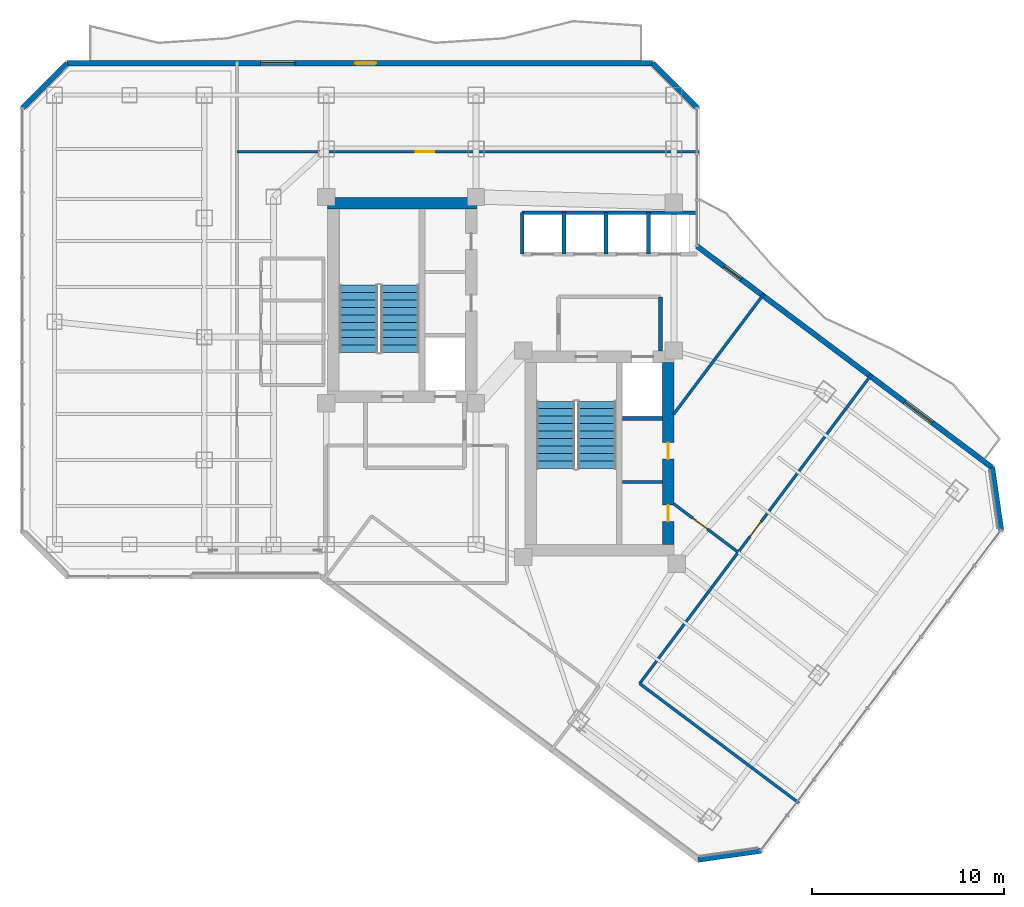
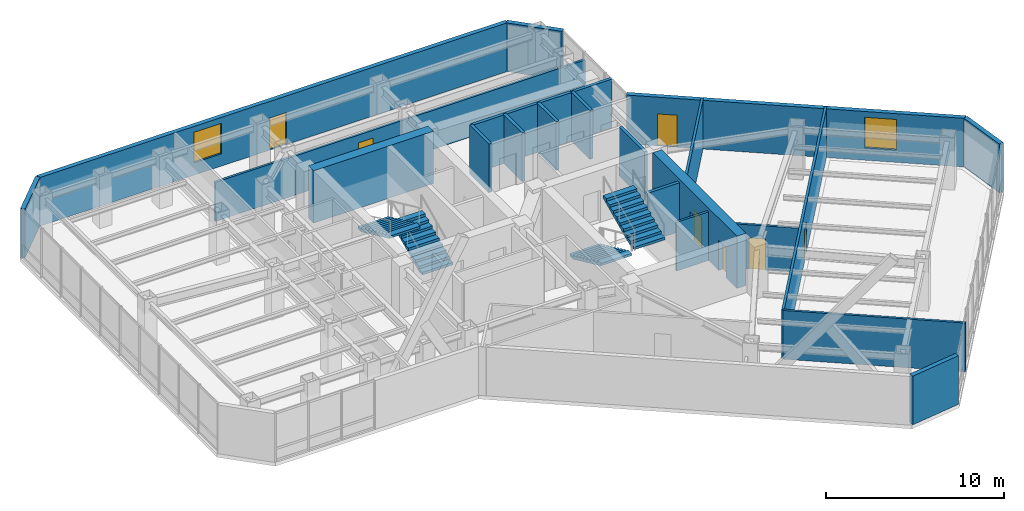
# One storey, part 23 of 26: 21 walls, 7 doors, 4 stair flights, 2 windows, 9 openings, 2 elements without a shape of their own.
"""IFC4 building model written with IfcOpenShell, lengths in metres."""

from ifc_helpers import new_model, si_unit, direction, frame, frame_2d, origin, place, context, subcontext, project, spatial, polyline, rectangle, outline, extrude, material, layer, layer_set, type_object, element, fill, aggregate, save


model = new_model("IFC4")

# Units and contexts
model_context = context("Model", 3, precision=1e-05, world=origin(), true_north=direction((0.0, 1.0)))
body_context = subcontext(model_context, "Body", "Model", "MODEL_VIEW")
ifc_project = project(units=[si_unit("LENGTHUNIT", "METRE"), si_unit("AREAUNIT", "SQUARE_METRE"), si_unit("VOLUMEUNIT", "CUBIC_METRE"), si_unit("PLANEANGLEUNIT", "RADIAN"), si_unit("MASSUNIT", "GRAM", prefix="KILO")], contexts=[model_context])

# Site, building, storey
site_placement = place(None, origin())
site = spatial("IfcSite", under=ifc_project, at=site_placement, CompositionType="ELEMENT")
building_placement = place(site_placement, origin())
building = spatial("IfcBuilding", under=site, at=building_placement, Name="Hatsunagi Terrace Concourse", CompositionType="ELEMENT")
storey_placement = place(building_placement, frame((0.0, 0.0, 134.85009765625)))
storey = spatial("IfcBuildingStorey", under=building, at=storey_placement, Name="L35", CompositionType="ELEMENT", Elevation=134.85009765625)

# Wall
ifc_material_1 = material(Name="Concrete Fc48", Category="concrete")
ifc_layer_1 = layer(ifc_material_1, 0.60009765625)
ifc_layer_set_1 = layer_set([ifc_layer_1], Name="CoreShearWall_Fc48_600")
wall_type_1 = type_object("IfcWallType", Name="CoreShearWall_Fc48_600", PredefinedType="SHEAR", material=ifc_layer_set_1)
wall_1_placement = place(storey_placement, frame((25.6201171875, 42.969970703125, 0.0), z_axis=(0.0, 0.0, 1.0), x_axis=(1.0, 0.0, 0.0)))
element("IfcWall", 1, at=wall_1_placement, inside=storey, type_object=wall_type_1, Name="Core A Shear Wall N L35", PredefinedType="SHEAR", context=body_context, shape_type="SweptSolid", body=[
    extrude(rectangle(XDim=7.77978515625, YDim=0.60009765625, at=frame_2d((3.889892578125, 0.0))), origin(), (0.0, 0.0, 1.0), 3.599853515625),
])

# Wall, openings, doors
wall_2_placement = place(storey_placement, frame((43.35009765625, 25.18994140625, 0.0), z_axis=(0.0, 0.0, 1.0), x_axis=(0.0, 1.0, 0.0)))
wall_2 = element("IfcWall", 2, at=wall_2_placement, inside=storey, type_object=wall_type_1, Name="Core B Shear Wall E L35", PredefinedType="SHEAR", context=body_context, shape_type="SweptSolid", body=[
    extrude(rectangle(XDim=9.47998046875, YDim=0.60009765625, at=frame_2d((4.739990234375, 0.0))), origin(), (0.0, 0.0, 1.0), 3.599853515625),
])
opening_1_placement = place(wall_2_placement, frame((1.2099609375, 0.0, 0.0)))
opening_1 = element("IfcOpeningElement", 3, at=opening_1_placement, cuts=wall_2, Name="Opening DR-085", PredefinedType="OPENING", context=body_context, shape_type="SweptSolid", body=[
    extrude(rectangle(XDim=0.85009765625, YDim=2.080078125, at=frame_2d((0.425048828125, 1.0400390625))), frame((0.0, 0.31005859375, 0.0), z_axis=(0.0, -1.0, 0.0), x_axis=(1.0, 0.0, 0.0)), (0.0, 0.0, 1.0), 0.6201171875),
])
opening_2_placement = place(wall_2_placement, frame((4.4599609375, 0.0, 0.0)))
opening_2 = element("IfcOpeningElement", 4, at=opening_2_placement, cuts=wall_2, Name="Opening DR-085", PredefinedType="OPENING", context=body_context, shape_type="SweptSolid", body=[
    extrude(rectangle(XDim=0.85009765625, YDim=2.080078125, at=frame_2d((0.425048828125, 1.0400390625))), frame((0.0, 0.31005859375, 0.0), z_axis=(0.0, -1.0, 0.0), x_axis=(1.0, 0.0, 0.0)), (0.0, 0.0, 1.0), 0.6201171875),
])
ifc_material_2 = material(Name="Painted steel", Category="steel")
door_type_1 = type_object("IfcDoorType", Name="RiserAccessDoor_EI60_850", OperationType="NOTDEFINED", PredefinedType="DOOR", material=ifc_material_2)
door_1_placement = place(opening_1_placement, origin())
door_1 = element("IfcDoor", 5, at=door_1_placement, inside=storey, type_object=door_type_1, Name="Core B Riser Door L35-1", OperationType="SINGLE_SWING_RIGHT", OverallHeight=2.080078125, OverallWidth=0.85009765625, PredefinedType="DOOR", context=body_context, shape_type="SweptSolid", body=[
    extrude(rectangle(XDim=0.85009765625, YDim=2.080078125, at=frame_2d((0.425048828125, 1.0400390625))), frame((0.0, 0.02490234375, 0.0), z_axis=(0.0, -1.0, 0.0), x_axis=(1.0, 0.0, 0.0)), (0.0, 0.0, 1.0), 0.050048828125),
])
fill(opening_1, door_1)
door_2_placement = place(opening_2_placement, origin())
door_2 = element("IfcDoor", 6, at=door_2_placement, inside=storey, type_object=door_type_1, Name="Core B Riser Door L35-2", OperationType="SINGLE_SWING_RIGHT", OverallHeight=2.080078125, OverallWidth=0.85009765625, PredefinedType="DOOR", context=body_context, shape_type="SweptSolid", body=[
    extrude(rectangle(XDim=0.85009765625, YDim=2.080078125, at=frame_2d((0.425048828125, 1.0400390625))), frame((0.0, 0.02490234375, 0.0), z_axis=(0.0, -1.0, 0.0), x_axis=(1.0, 0.0, 0.0)), (0.0, 0.0, 1.0), 0.050048828125),
])
fill(opening_2, door_2)

# Wall
ifc_material_3 = material(Name="Acoustic mineral board", Category="gypsum")
ifc_layer_2 = layer(ifc_material_3, 0.14990234375)
ifc_layer_set_2 = layer_set([ifc_layer_2], Name="PartitionWall_EI60_150")
wall_type_2 = type_object("IfcWallType", Name="PartitionWall_EI60_150", PredefinedType="PARTITIONING", material=ifc_layer_set_2)
wall_3_placement = place(storey_placement, frame((40.969970703125, 28.449951171875, 0.0), z_axis=(0.0, 0.0, 1.0), x_axis=(1.0, 0.0, 0.0)))
element("IfcWall", 7, at=wall_3_placement, inside=storey, type_object=wall_type_2, Name="Interior Partition IW-L35-004", PredefinedType="PARTITIONING", context=body_context, shape_type="SweptSolid", body=[
    extrude(rectangle(XDim=2.080078125, YDim=0.14990234375, at=frame_2d((1.0400390625, 0.0))), origin(), (0.0, 0.0, 1.0), 3.349853515625),
])

# Wall, opening, door
wall_4_placement = place(storey_placement, frame((20.89990234375, 45.64990234375, 0.0), z_axis=(0.0, 0.0, 1.0), x_axis=(1.0, 0.0, 0.0)))
wall_4 = element("IfcWall", 8, at=wall_4_placement, inside=storey, type_object=wall_type_2, Name="Interior Partition IW-L35-030", PredefinedType="PARTITIONING", context=body_context, shape_type="SweptSolid", body=[
    extrude(rectangle(XDim=24.06005859375, YDim=0.14990234375, at=frame_2d((12.030029296875, 0.0))), origin(), (0.0, 0.0, 1.0), 2.69482421875),
])
opening_3_placement = place(wall_4_placement, frame((9.320068359375, 0.0, 0.0)))
opening_3 = element("IfcOpeningElement", 9, at=opening_3_placement, cuts=wall_4, Name="Opening DR-095", PredefinedType="OPENING", context=body_context, shape_type="SweptSolid", body=[
    extrude(rectangle(XDim=0.949951171875, YDim=2.14990234375, at=frame_2d((0.47509765625, 1.074951171875))), frame((0.0, 0.0849609375, 0.0), z_axis=(0.0, -1.0, 0.0), x_axis=(1.0, 0.0, 0.0)), (0.0, 0.0, 1.0), 0.169921875),
])
ifc_material_4 = material(Name="Hardwood timber", Category="wood")
door_type_2 = type_object("IfcDoorType", Name="InteriorSuiteDoor_EI30_950", OperationType="NOTDEFINED", PredefinedType="DOOR", material=ifc_material_4)
door_3_placement = place(opening_3_placement, origin())
door_3 = element("IfcDoor", 10, at=door_3_placement, inside=storey, type_object=door_type_2, Name="Collaboration Lounge L35-ON1 Door", OperationType="SINGLE_SWING_RIGHT", OverallHeight=2.14990234375, OverallWidth=0.949951171875, PredefinedType="DOOR", context=body_context, shape_type="SweptSolid", body=[
    extrude(rectangle(XDim=0.949951171875, YDim=2.14990234375, at=frame_2d((0.47509765625, 1.074951171875))), frame((0.0, 0.02490234375, 0.0), z_axis=(0.0, -1.0, 0.0), x_axis=(1.0, 0.0, 0.0)), (0.0, 0.0, 1.0), 0.050048828125),
])
fill(opening_3, door_3)

# Wall
wall_5_placement = place(storey_placement, frame((41.8701171875, 17.9599609375, 0.0), z_axis=(0.0, 0.0, 1.0), x_axis=(0.799991516197, -0.600011311571, 0.0)))
element("IfcWall", 11, at=wall_5_placement, inside=storey, type_object=wall_type_2, Name="Interior Partition IW-L35-031", PredefinedType="PARTITIONING", context=body_context, shape_type="SweptSolid", body=[
    extrude(rectangle(XDim=10.35986328125, YDim=0.14990234375, at=frame_2d((5.179931640625, 0.0))), origin(), (0.0, 0.0, 1.0), 3.349853515625),
])

# Wall, opening, door
wall_6_placement = place(storey_placement, frame((41.8701171875, 17.9599609375, 0.0), z_axis=(0.0, 0.0, 1.0), x_axis=(0.599994172676, 0.80000437046, 0.0)))
wall_6 = element("IfcWall", 12, at=wall_6_placement, inside=storey, type_object=wall_type_2, Name="Interior Partition IW-L35-032", PredefinedType="PARTITIONING", context=body_context, shape_type="SweptSolid", body=[
    extrude(rectangle(XDim=20.110107421875, YDim=0.14990234375, at=frame_2d((10.05517578125, 0.0))), origin(), (0.0, 0.0, 1.0), 3.349853515625),
])
opening_4_placement = place(wall_6_placement, frame((9.580078125, 0.0, 0.0)))
opening_4 = element("IfcOpeningElement", 13, at=opening_4_placement, cuts=wall_6, Name="Opening DR-095", PredefinedType="OPENING", context=body_context, shape_type="SweptSolid", body=[
    extrude(rectangle(XDim=0.949951171875, YDim=2.14990234375, at=frame_2d((0.47509765625, 1.074951171875))), frame((0.0, 0.0849609375, 0.0), z_axis=(0.0, -1.0, 0.0), x_axis=(1.0, 0.0, 0.0)), (0.0, 0.0, 1.0), 0.169921875),
])
door_4_placement = place(opening_4_placement, origin())
door_4 = element("IfcDoor", 14, at=door_4_placement, inside=storey, type_object=door_type_2, Name="Design Studio L35-OSE1 Door", OperationType="SINGLE_SWING_RIGHT", OverallHeight=2.14990234375, OverallWidth=0.949951171875, PredefinedType="DOOR", context=body_context, shape_type="SweptSolid", body=[
    extrude(rectangle(XDim=0.949951171875, YDim=2.14990234375, at=frame_2d((0.47509765625, 1.074951171875))), frame((0.0, 0.02490234375, 0.0), z_axis=(0.0, -1.0, 0.0), x_axis=(1.0, 0.0, 0.0)), (0.0, 0.0, 1.0), 0.050048828125),
])
fill(opening_4, door_4)

wall_7_placement = place(storey_placement, frame((43.6298828125, 27.327880859375, 0.0), z_axis=(0.0, 0.0, 1.0), x_axis=(0.799972182084, -0.600037088764, 0.0)))
wall_7 = element("IfcWall", 15, at=wall_7_placement, inside=storey, type_object=wall_type_2, Name="Interior Partition IW-L35-033", PredefinedType="PARTITIONING", context=body_context, shape_type="SweptSolid", body=[
    extrude(rectangle(XDim=4.212890625, YDim=0.14990234375, at=frame_2d((2.1064453125, 0.0))), origin(), (0.0, 0.0, 1.0), 3.044921875),
])
opening_5_placement = place(wall_7_placement, frame((1.256103515625, 0.0, 0.0)))
opening_5 = element("IfcOpeningElement", 16, at=opening_5_placement, cuts=wall_7, Name="Opening DR-095", PredefinedType="OPENING", context=body_context, shape_type="SweptSolid", body=[
    extrude(rectangle(XDim=0.949951171875, YDim=2.14990234375, at=frame_2d((0.47509765625, 1.074951171875))), frame((0.0, 0.0849609375, 0.0), z_axis=(0.0, -1.0, 0.0), x_axis=(1.0, 0.0, 0.0)), (0.0, 0.0, 1.0), 0.169921875),
])
door_5_placement = place(opening_5_placement, origin())
door_5 = element("IfcDoor", 17, at=door_5_placement, inside=storey, type_object=door_type_2, Name="Collaboration Lounge L35-OSEN0 Door", OperationType="SINGLE_SWING_LEFT", OverallHeight=2.14990234375, OverallWidth=0.949951171875, PredefinedType="DOOR", context=body_context, shape_type="SweptSolid", body=[
    extrude(rectangle(XDim=0.949951171875, YDim=2.14990234375, at=frame_2d((0.47509765625, 1.074951171875))), frame((0.0, 0.02490234375, 0.0), z_axis=(0.0, -1.0, 0.0), x_axis=(1.0, 0.0, 0.0)), (0.0, 0.0, 1.0), 0.050048828125),
])
fill(opening_5, door_5)

# Walls
wall_8_placement = place(storey_placement, frame((43.6298828125, 31.972900390625, 0.0), z_axis=(0.0, 0.0, 1.0), x_axis=(0.599975099311, 0.800018674911, 0.0)))
element("IfcWall", 18, at=wall_8_placement, inside=storey, type_object=wall_type_2, Name="Interior Partition IW-L35-034", PredefinedType="PARTITIONING", context=body_context, shape_type="SweptSolid", body=[
    extrude(rectangle(XDim=7.84375, YDim=0.14990234375, at=frame_2d((3.921875, 0.0))), origin(), (0.0, 0.0, 1.0), 3.349853515625),
])
ifc_material_5 = material(Name="Acoustic mineral board", Category="gypsum")
ifc_layer_3 = layer(ifc_material_5, 0.199951171875)
ifc_layer_set_3 = layer_set([ifc_layer_3], Name="ShaftWall_EI120_200")
wall_type_3 = type_object("IfcWallType", Name="ShaftWall_EI120_200", PredefinedType="STANDARD", material=ifc_layer_set_3)
wall_9_placement = place(storey_placement, frame((40.969970703125, 31.760009765625, 0.0), z_axis=(0.0, 0.0, 1.0), x_axis=(1.0, 0.0, 0.0)))
element("IfcWall", 19, at=wall_9_placement, inside=storey, type_object=wall_type_3, Name="Interior Partition IW-L35-003", PredefinedType="STANDARD", context=body_context, shape_type="SweptSolid", body=[
    extrude(rectangle(XDim=2.080078125, YDim=0.199951171875, at=frame_2d((1.0400390625, 0.0))), origin(), (0.0, 0.0, 1.0), 3.349853515625),
])
wall_10_placement = place(storey_placement, frame((42.949951171875, 35.27001953125, 0.0), z_axis=(0.0, 0.0, 1.0), x_axis=(0.0, 1.0, 0.0)))
element("IfcWall", 20, at=wall_10_placement, inside=storey, type_object=wall_type_3, Name="Interior Partition IW-L35-009", PredefinedType="STANDARD", context=body_context, shape_type="SweptSolid", body=[
    extrude(rectangle(XDim=2.830078125, YDim=0.199951171875, at=frame_2d((1.4150390625, 0.0))), origin(), (0.0, 0.0, 1.0), 3.349853515625),
])
wall_11_placement = place(storey_placement, frame((35.75, 42.47998046875, 0.0), z_axis=(0.0, 0.0, 1.0), x_axis=(1.0, 0.0, 0.0)))
element("IfcWall", 21, at=wall_11_placement, inside=storey, type_object=wall_type_3, Name="Interior Partition IW-L35-011", PredefinedType="STANDARD", context=body_context, shape_type="SweptSolid", body=[
    extrude(rectangle(XDim=9.110107421875, YDim=0.199951171875, at=frame_2d((4.55517578125, 0.0))), origin(), (0.0, 0.0, 1.0), 3.349853515625),
])
for number, where, z_axis, x_axis, name in (
    (22, (35.75, 40.320068359375, 0.0), (0.0, 0.0, 1.0), (0.0, 1.0, 0.0), "Interior Partition IW-L35-012"),
    (23, (37.919921875, 40.320068359375, 0.0), (0.0, 0.0, 1.0), (0.0, 1.0, 0.0), "Interior Partition IW-L35-013"),
    (24, (40.1201171875, 40.320068359375, 0.0), (0.0, 0.0, 1.0), (0.0, 1.0, 0.0), "Interior Partition IW-L35-014"),
    (25, (42.320068359375, 40.320068359375, 0.0), (0.0, 0.0, 1.0), (0.0, 1.0, 0.0), "Interior Partition IW-L35-015"),
):
    element("IfcWall", number, at=place(storey_placement, frame(where, z_axis=z_axis, x_axis=x_axis)), inside=storey, type_object=wall_type_3, Name=name, PredefinedType="STANDARD", context=body_context, shape_type="SweptSolid", body=[
        extrude(rectangle(XDim=2.159912109375, YDim=0.199951171875, at=frame_2d((1.080078125, 0.0))), origin(), (0.0, 0.0, 1.0), 3.349853515625),
    ])

# Wall, openings, door, window
ifc_material_6 = material(Name="Autoclaved Lightweight Concrete and Terracotta Cladding", Category="masonry")
ifc_layer_4 = layer(ifc_material_6, 0.280029296875)
ifc_layer_set_4 = layer_set([ifc_layer_4], Name="TerracottaSpandrelWall_280")
wall_type_4 = type_object("IfcWallType", Name="TerracottaSpandrelWall_280", PredefinedType="STANDARD", material=ifc_layer_set_4)
wall_12_placement = place(storey_placement, frame((44.860107421875, 40.72998046875, 0.0), z_axis=(0.0, 0.0, 1.0), x_axis=(0.800007624502, -0.599989833863, 0.0)))
wall_12 = element("IfcWall", 26, at=wall_12_placement, inside=storey, type_object=wall_type_4, Name="Exterior Spandrel Wall EW-L35-01", PredefinedType="STANDARD", context=body_context, shape_type="SweptSolid", body=[
    extrude(rectangle(XDim=19.212158203125, YDim=0.280029296875, at=frame_2d((9.60595703125, 0.0))), origin(), (0.0, 0.0, 1.0), 3.349853515625),
])
opening_6_placement = place(wall_12_placement, frame((1.7548828125, 0.0, 0.0)))
opening_6 = element("IfcOpeningElement", 27, at=opening_6_placement, cuts=wall_12, Name="Opening BD-01", PredefinedType="OPENING", context=body_context, shape_type="SweptSolid", body=[
    extrude(rectangle(XDim=1.10009765625, YDim=2.199951171875, at=frame_2d((0.550048828125, 1.10009765625))), frame((0.0, 0.14990234375, 0.0), z_axis=(0.0, -1.0, 0.0), x_axis=(1.0, 0.0, 0.0)), (0.0, 0.0, 1.0), 0.300048828125),
])
opening_7_placement = place(wall_12_placement, frame((13.509033203125, 0.0, 0.85009765625)))
opening_7 = element("IfcOpeningElement", 28, at=opening_7_placement, cuts=wall_12, Name="Opening WIN-03", PredefinedType="OPENING", context=body_context, shape_type="SweptSolid", body=[
    extrude(rectangle(XDim=1.800048828125, YDim=2.10009765625, at=frame_2d((0.89990234375, 1.050048828125))), frame((0.0, 0.14990234375, 0.0), z_axis=(0.0, -1.0, 0.0), x_axis=(1.0, 0.0, 0.0)), (0.0, 0.0, 1.0), 0.300048828125),
])
ifc_material_7 = material(Name="Galvanised Steel and Laminated Safety Glass", Category="steel")
door_type_3 = type_object("IfcDoorType", Name="BalconyTerraceAccessDoor_1100x2200", OperationType="SINGLE_SWING_LEFT", PredefinedType="DOOR", material=ifc_material_7)
door_6_placement = place(opening_6_placement, origin())
door_6 = element("IfcDoor", 29, at=door_6_placement, inside=storey, type_object=door_type_3, Name="Engawa Balcony Door L35-BSE", OperationType="SINGLE_SWING_LEFT", OverallHeight=2.199951171875, OverallWidth=1.10009765625, PredefinedType="DOOR", context=body_context, shape_type="SweptSolid", body=[
    extrude(rectangle(XDim=1.10009765625, YDim=2.199951171875, at=frame_2d((0.550048828125, 1.10009765625))), frame((0.0, 0.02490234375, 0.0), z_axis=(0.0, -1.0, 0.0), x_axis=(1.0, 0.0, 0.0)), (0.0, 0.0, 1.0), 0.050048828125),
])
fill(opening_6, door_6)
ifc_material_8 = material(Name="Thermally Broken Aluminium and Low-E Triple Glazing", Category="aluminium")
window_type = type_object("IfcWindowType", Name="OfficeCornerFeatureWindow_1800x2100", PartitioningType="SINGLE_PANEL", PredefinedType="WINDOW", material=ifc_material_8)
window_1_placement = place(opening_7_placement, origin())
window_1 = element("IfcWindow", 30, at=window_1_placement, inside=storey, type_object=window_type, Name="Balcony Daylighting Window L35-01-2", OverallHeight=2.10009765625, OverallWidth=1.800048828125, PartitioningType="SINGLE_PANEL", PredefinedType="WINDOW", context=body_context, shape_type="SweptSolid", body=[
    extrude(rectangle(XDim=1.800048828125, YDim=2.10009765625, at=frame_2d((0.89990234375, 1.050048828125))), frame((0.0, 0.030029296875, 0.0), z_axis=(0.0, -1.0, 0.0), x_axis=(1.0, 0.0, 0.0)), (0.0, 0.0, 1.0), 0.06005859375),
])
fill(opening_7, window_1)

# Walls
wall_13_placement = place(storey_placement, frame((60.22998046875, 29.202880859375, 0.0), z_axis=(0.0, 0.0, 1.0), x_axis=(0.141296221922, -0.989967361922, 0.0)))
element("IfcWall", 31, at=wall_13_placement, inside=storey, type_object=wall_type_4, Name="Exterior Spandrel Wall EW-L35-02", PredefinedType="STANDARD", context=body_context, shape_type="SweptSolid", body=[
    extrude(rectangle(XDim=3.27783203125, YDim=0.280029296875, at=frame_2d((1.638916015625, 0.0))), origin(), (0.0, 0.0, 1.0), 3.349853515625),
])
wall_14_placement = place(storey_placement, frame((48.1630859375, 9.25, 0.0), z_axis=(0.0, 0.0, 1.0), x_axis=(-0.989979263428, -0.141212810973, 0.0)))
element("IfcWall", 32, at=wall_14_placement, inside=storey, type_object=wall_type_4, Name="Exterior Spandrel Wall EW-L35-04", PredefinedType="STANDARD", context=body_context, shape_type="SweptSolid", body=[
    extrude(rectangle(XDim=3.278076171875, YDim=0.280029296875, at=frame_2d((1.63916015625, 0.0))), origin(), (0.0, 0.0, 1.0), 3.349853515625),
])
wall_15_placement = place(storey_placement, frame((9.739990234375, 47.94189453125, 0.0), z_axis=(0.0, 0.0, 1.0), x_axis=(0.707106781187, 0.707106781187, 0.0)))
element("IfcWall", 33, at=wall_15_placement, inside=storey, type_object=wall_type_4, Name="Exterior Spandrel Wall EW-L35-10", PredefinedType="STANDARD", context=body_context, shape_type="SweptSolid", body=[
    extrude(rectangle(XDim=3.2783203125, YDim=0.280029296875, at=frame_2d((1.63916015625, 0.0))), origin(), (0.0, 0.0, 1.0), 3.349853515625),
])

# Wall, openings, door, window
wall_16_placement = place(storey_placement, frame((12.05810546875, 50.260009765625, 0.0), z_axis=(0.0, 0.0, 1.0), x_axis=(1.0, 0.0, 0.0)))
wall_16 = element("IfcWall", 34, at=wall_16_placement, inside=storey, type_object=wall_type_4, Name="Exterior Spandrel Wall EW-L35-11", PredefinedType="STANDARD", context=body_context, shape_type="SweptSolid", body=[
    extrude(rectangle(XDim=30.48388671875, YDim=0.280029296875, at=frame_2d((15.241943359375, 0.0))), origin(), (0.0, 0.0, 1.0), 3.349853515625),
])
opening_8_placement = place(wall_16_placement, frame((14.991943359375, 0.0, 0.0)))
opening_8 = element("IfcOpeningElement", 35, at=opening_8_placement, cuts=wall_16, Name="Opening BD-01", PredefinedType="OPENING", context=body_context, shape_type="SweptSolid", body=[
    extrude(rectangle(XDim=1.10009765625, YDim=2.199951171875, at=frame_2d((0.550048828125, 1.10009765625))), frame((0.0, 0.14990234375, 0.0), z_axis=(0.0, -1.0, 0.0), x_axis=(1.0, 0.0, 0.0)), (0.0, 0.0, 1.0), 0.300048828125),
])
opening_9_placement = place(wall_16_placement, frame((10.073974609375, 0.0, 0.85009765625)))
opening_9 = element("IfcOpeningElement", 36, at=opening_9_placement, cuts=wall_16, Name="Opening WIN-03", PredefinedType="OPENING", context=body_context, shape_type="SweptSolid", body=[
    extrude(rectangle(XDim=1.800048828125, YDim=2.10009765625, at=frame_2d((0.89990234375, 1.050048828125))), frame((0.0, 0.14990234375, 0.0), z_axis=(0.0, -1.0, 0.0), x_axis=(1.0, 0.0, 0.0)), (0.0, 0.0, 1.0), 0.300048828125),
])
door_7_placement = place(opening_8_placement, origin())
door_7 = element("IfcDoor", 37, at=door_7_placement, inside=storey, type_object=door_type_3, Name="Engawa Balcony Door L35-BN", OperationType="SINGLE_SWING_RIGHT", OverallHeight=2.199951171875, OverallWidth=1.10009765625, PredefinedType="DOOR", context=body_context, shape_type="SweptSolid", body=[
    extrude(rectangle(XDim=1.10009765625, YDim=2.199951171875, at=frame_2d((0.550048828125, 1.10009765625))), frame((0.0, 0.02490234375, 0.0), z_axis=(0.0, -1.0, 0.0), x_axis=(1.0, 0.0, 0.0)), (0.0, 0.0, 1.0), 0.050048828125),
])
fill(opening_8, door_7)
window_2_placement = place(opening_9_placement, origin())
window_2 = element("IfcWindow", 38, at=window_2_placement, inside=storey, type_object=window_type, Name="Balcony Daylighting Window L35-11-1", OverallHeight=2.10009765625, OverallWidth=1.800048828125, PartitioningType="SINGLE_PANEL", PredefinedType="WINDOW", context=body_context, shape_type="SweptSolid", body=[
    extrude(rectangle(XDim=1.800048828125, YDim=2.10009765625, at=frame_2d((0.89990234375, 1.050048828125))), frame((0.0, 0.030029296875, 0.0), z_axis=(0.0, -1.0, 0.0), x_axis=(1.0, 0.0, 0.0)), (0.0, 0.0, 1.0), 0.06005859375),
])
fill(opening_9, window_2)

# Wall
wall_17_placement = place(storey_placement, frame((42.5419921875, 50.260009765625, 0.0), z_axis=(0.0, 0.0, 1.0), x_axis=(0.707106781187, -0.707106781187, 0.0)))
element("IfcWall", 39, at=wall_17_placement, inside=storey, type_object=wall_type_4, Name="Exterior Spandrel Wall EW-L35-12", PredefinedType="STANDARD", context=body_context, shape_type="SweptSolid", body=[
    extrude(rectangle(XDim=3.2783203125, YDim=0.280029296875, at=frame_2d((1.63916015625, 0.0))), origin(), (0.0, 0.0, 1.0), 3.349853515625),
])

# Stair, stair flights
ifc_material_9 = material(Name="Concrete Fc42", Category="concrete")
stair_type = type_object("IfcStairType", Name="DoglegExitStair_Tower2000_20R_180", PredefinedType="HALF_TURN_STAIR", material=ifc_material_9)
stair_1_placement = place(storey_placement, origin())
stair_1 = element("IfcStair", 40, at=stair_1_placement, inside=storey, type_object=stair_type, Name="L35 Core A Protected Exit Stair ST-A", PredefinedType="HALF_TURN_STAIR")
ifc_material_10 = material(Name="Concrete Fc42", Category="concrete")
stair_flight_type = type_object("IfcStairFlightType", Name="DoglegStairFlight_Tower2000_20R_180", PredefinedType="STRAIGHT", material=ifc_material_10)
stair_flight_1_placement = place(storey_placement, frame((29.3798828125, 35.199951171875, 0.0), z_axis=(0.0, 0.0, 1.0), x_axis=(0.0, 1.0, 0.0)))
stair_flight_1 = element("IfcStairFlight", 41, at=stair_flight_1_placement, type_object=stair_flight_type, Name="ST-A flight 1", NumberOfRisers=10, NumberOfTreads=9, PredefinedType="STRAIGHT", RiserHeight=0.18, TreadLength=0.39, context=body_context, shape_type="SweptSolid", body=[
    extrude(outline(polyline([(0.0, 0.0), (0.0, 0.179931640625), (0.389892578125, 0.179931640625), (0.389892578125, 0.360107421875), (0.780029296875, 0.360107421875), (0.780029296875, 0.5400390625), (1.169921875, 0.5400390625), (1.169921875, 0.719970703125), (1.56005859375, 0.719970703125), (1.56005859375, 0.89990234375), (1.949951171875, 0.89990234375), (1.949951171875, 1.080078125), (2.340087890625, 1.080078125), (2.340087890625, 1.260009765625), (2.72998046875, 1.260009765625), (2.72998046875, 1.43994140625), (3.1201171875, 1.43994140625), (3.1201171875, 1.6201171875), (3.510009765625, 1.6201171875), (3.510009765625, 1.800048828125), (3.510009765625, 1.454833984375), (0.357666015625, 0.0), (0.0, 0.0)])), frame((0.0, 1.0, 0.0), z_axis=(0.0, -1.0, 0.0), x_axis=(1.0, 0.0, 0.0)), (0.0, 0.0, 1.0), 2.0),
])
stair_flight_2_placement = place(storey_placement, frame((27.22998046875, 38.7099609375, 1.7998046875), z_axis=(0.0, 0.0, 1.0), x_axis=(0.0, -1.0, 0.0)))
stair_flight_2 = element("IfcStairFlight", 42, at=stair_flight_2_placement, type_object=stair_flight_type, Name="ST-A flight 2", NumberOfRisers=10, NumberOfTreads=9, PredefinedType="STRAIGHT", RiserHeight=0.18, TreadLength=0.39, context=body_context, shape_type="SweptSolid", body=[
    extrude(outline(polyline([(0.0, 0.0), (0.0, 0.179931640625), (0.389892578125, 0.179931640625), (0.389892578125, 0.360107421875), (0.780029296875, 0.360107421875), (0.780029296875, 0.5400390625), (1.169921875, 0.5400390625), (1.169921875, 0.719970703125), (1.56005859375, 0.719970703125), (1.56005859375, 0.89990234375), (1.949951171875, 0.89990234375), (1.949951171875, 1.080078125), (2.340087890625, 1.080078125), (2.340087890625, 1.260009765625), (2.72998046875, 1.260009765625), (2.72998046875, 1.43994140625), (3.1201171875, 1.43994140625), (3.1201171875, 1.6201171875), (3.510009765625, 1.6201171875), (3.510009765625, 1.800048828125), (3.510009765625, 1.454833984375), (0.357666015625, 0.0), (0.0, 0.0)])), frame((0.0, 1.0, 0.0), z_axis=(0.0, -1.0, 0.0), x_axis=(1.0, 0.0, 0.0)), (0.0, 0.0, 1.0), 2.0),
])
aggregate(stair_1, [stair_flight_1, stair_flight_2])

stair_2_placement = place(storey_placement, origin())
stair_2 = element("IfcStair", 43, at=stair_2_placement, inside=storey, type_object=stair_type, Name="L35 Core B Protected Exit Stair ST-B", PredefinedType="HALF_TURN_STAIR")
stair_flight_3_placement = place(storey_placement, frame((37.5, 32.659912109375, 0.0), z_axis=(0.0, 0.0, 1.0), x_axis=(0.0, -1.0, 0.0)))
stair_flight_3 = element("IfcStairFlight", 44, at=stair_flight_3_placement, type_object=stair_flight_type, Name="ST-B flight 1", NumberOfRisers=10, NumberOfTreads=9, PredefinedType="STRAIGHT", RiserHeight=0.18, TreadLength=0.39, context=body_context, shape_type="SweptSolid", body=[
    extrude(outline(polyline([(0.0, 0.0), (0.0, 0.179931640625), (0.389892578125, 0.179931640625), (0.389892578125, 0.360107421875), (0.780029296875, 0.360107421875), (0.780029296875, 0.5400390625), (1.169921875, 0.5400390625), (1.169921875, 0.719970703125), (1.56005859375, 0.719970703125), (1.56005859375, 0.89990234375), (1.949951171875, 0.89990234375), (1.949951171875, 1.080078125), (2.340087890625, 1.080078125), (2.340087890625, 1.260009765625), (2.72998046875, 1.260009765625), (2.72998046875, 1.43994140625), (3.1201171875, 1.43994140625), (3.1201171875, 1.6201171875), (3.510009765625, 1.6201171875), (3.510009765625, 1.800048828125), (3.510009765625, 1.454833984375), (0.357666015625, 0.0), (0.0, 0.0)])), frame((0.0, 1.0, 0.0), z_axis=(0.0, -1.0, 0.0), x_axis=(1.0, 0.0, 0.0)), (0.0, 0.0, 1.0), 2.0),
])
stair_flight_4_placement = place(storey_placement, frame((39.64990234375, 29.14990234375, 1.7998046875), z_axis=(0.0, 0.0, 1.0), x_axis=(0.0, 1.0, 0.0)))
stair_flight_4 = element("IfcStairFlight", 45, at=stair_flight_4_placement, type_object=stair_flight_type, Name="ST-B flight 2", NumberOfRisers=10, NumberOfTreads=9, PredefinedType="STRAIGHT", RiserHeight=0.18, TreadLength=0.39, context=body_context, shape_type="SweptSolid", body=[
    extrude(outline(polyline([(0.0, 0.0), (0.0, 0.179931640625), (0.389892578125, 0.179931640625), (0.389892578125, 0.360107421875), (0.780029296875, 0.360107421875), (0.780029296875, 0.5400390625), (1.169921875, 0.5400390625), (1.169921875, 0.719970703125), (1.56005859375, 0.719970703125), (1.56005859375, 0.89990234375), (1.949951171875, 0.89990234375), (1.949951171875, 1.080078125), (2.340087890625, 1.080078125), (2.340087890625, 1.260009765625), (2.72998046875, 1.260009765625), (2.72998046875, 1.43994140625), (3.1201171875, 1.43994140625), (3.1201171875, 1.6201171875), (3.510009765625, 1.6201171875), (3.510009765625, 1.800048828125), (3.510009765625, 1.454833984375), (0.357666015625, 0.0), (0.0, 0.0)])), frame((0.0, 1.0, 0.0), z_axis=(0.0, -1.0, 0.0), x_axis=(1.0, 0.0, 0.0)), (0.0, 0.0, 1.0), 2.0),
])
aggregate(stair_2, [stair_flight_3, stair_flight_4])

save(model, "model.ifc")
